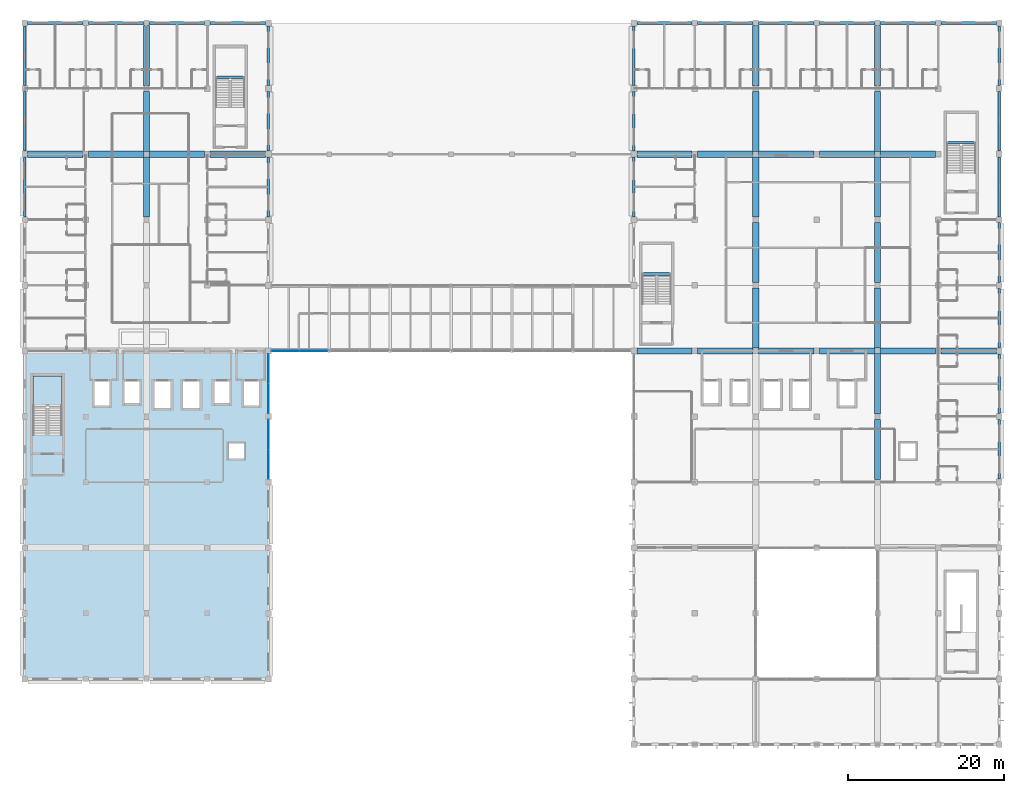
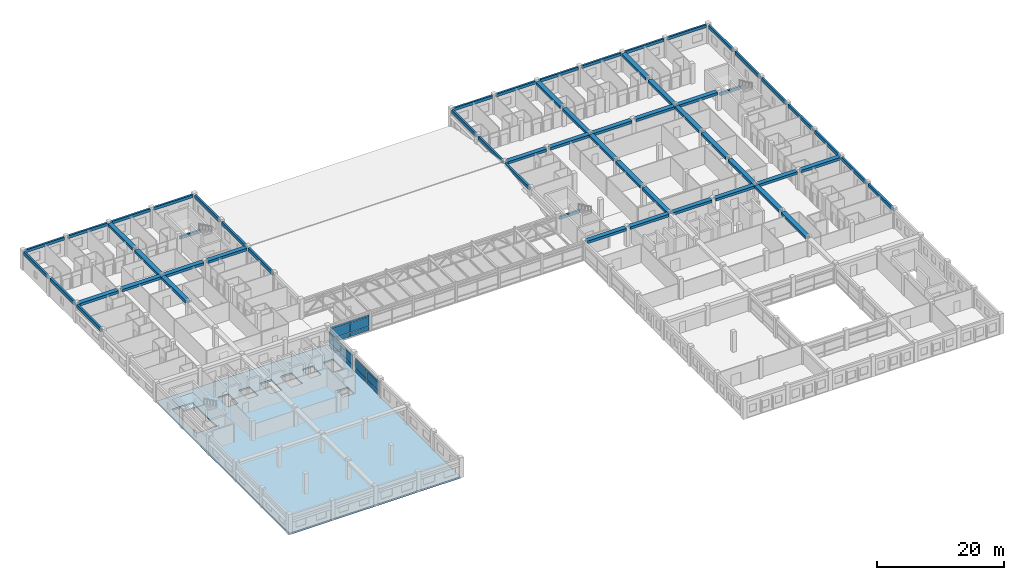
# One storey, part 40 of 72: 59 beams, 18 plates, 2 slabs, 4 elements without a shape of their own.
"""IFC4 building model written with IfcOpenShell, lengths in metres."""

from ifc_helpers import new_model, si_unit, direction, frame, origin, origin_2d, place, context, subcontext, project, spatial, polyline, rectangle, outline, extrude, material, layer, layer_set, material_profile, profile_set, type_object, element, aggregate, save


model = new_model("IFC4")

# Units and contexts
model_context = context("Model", 3, precision=1e-05, world=origin(), true_north=direction((0.0, 1.0)))
body_context = subcontext(model_context, "Body", "Model", "MODEL_VIEW")
ifc_project = project(units=[si_unit("LENGTHUNIT", "METRE"), si_unit("AREAUNIT", "SQUARE_METRE"), si_unit("VOLUMEUNIT", "CUBIC_METRE"), si_unit("PLANEANGLEUNIT", "RADIAN"), si_unit("MASSUNIT", "GRAM", prefix="KILO"), si_unit("THERMODYNAMICTEMPERATUREUNIT", "KELVIN"), si_unit("POWERUNIT", "WATT")], contexts=[model_context])

# Site, building, storey
site_placement = place(None, origin())
site = spatial("IfcSite", under=ifc_project, at=site_placement, CompositionType="ELEMENT")
building_placement = place(site_placement, origin())
building = spatial("IfcBuilding", under=site, at=building_placement, Name="Srebrne Nadtorze General Hospital", CompositionType="ELEMENT")
storey_placement = place(building_placement, frame((0.0, 0.0, 22.199951171875)))
storey = spatial("IfcBuildingStorey", under=building, at=storey_placement, Name="L05", CompositionType="ELEMENT", Elevation=22.199951171875)

# Beams
ifc_material_1 = material(Name="Concrete C35/45", Category="concrete")
ifc_material_profile_1 = material_profile(ifc_material_1, rectangle(XDim=0.35009765625, YDim=0.64990234375, at=origin_2d()), Name="RC-BM-350x650")
ifc_profile_set_1 = profile_set([ifc_material_profile_1], Name="Concrete C35/45")
beam_type_1 = type_object("IfcBeamType", Name="Edge beam RC 350x650", PredefinedType="BEAM", material=ifc_profile_set_1)
beam_1_placement = place(storey_placement, frame((23.39990234375, 67.574951171875, 3.275146484375), z_axis=(0.0, 1.0, 0.0), x_axis=(-1.0, 0.0, 0.0)))
element("IfcBeam", 1, at=beam_1_placement, inside=storey, type_object=beam_type_1, Name="Beam BM-L05-Y-1066", PredefinedType="BEAM", context=body_context, shape_type="SweptSolid", body=[
    extrude(rectangle(XDim=0.35009765625, YDim=0.64990234375, at=origin_2d()), origin(), (0.0, 0.0, 1.0), 7.650146484375),
])
for number, where, z_axis, x_axis, name in (
    (2, (23.39990234375, 75.97509765625, 3.275146484375), (0.0, 1.0, 0.0), (-1.0, 0.0, 0.0), "Beam BM-L05-Y-1067"),
    (3, (23.39990234375, 84.375, 3.275146484375), (0.0, 1.0, 0.0), (-1.0, 0.0, 0.0), "Beam BM-L05-Y-1068"),
):
    element("IfcBeam", number, at=place(storey_placement, frame(where, z_axis=z_axis, x_axis=x_axis)), inside=storey, type_object=beam_type_1, Name=name, PredefinedType="BEAM", context=body_context, shape_type="SweptSolid", body=[
        extrude(rectangle(XDim=0.35009765625, YDim=0.64990234375, at=origin_2d()), origin(), (0.0, 0.0, 1.0), 7.64990234375),
    ])
beam_2_placement = place(storey_placement, frame((54.60009765625, 67.574951171875, 3.275146484375), z_axis=(0.0, 1.0, 0.0), x_axis=(-1.0, 0.0, 0.0)))
element("IfcBeam", 4, at=beam_2_placement, inside=storey, type_object=beam_type_1, Name="Beam BM-L05-Y-1085", PredefinedType="BEAM", context=body_context, shape_type="SweptSolid", body=[
    extrude(rectangle(XDim=0.35009765625, YDim=0.64990234375, at=origin_2d()), origin(), (0.0, 0.0, 1.0), 7.650146484375),
])
for number, where, z_axis, x_axis, name in (
    (5, (54.60009765625, 75.97509765625, 3.275146484375), (0.0, 1.0, 0.0), (-1.0, 0.0, 0.0), "Beam BM-L05-Y-1086"),
    (6, (54.60009765625, 84.375, 3.275146484375), (0.0, 1.0, 0.0), (-1.0, 0.0, 0.0), "Beam BM-L05-Y-1087"),
):
    element("IfcBeam", number, at=place(storey_placement, frame(where, z_axis=z_axis, x_axis=x_axis)), inside=storey, type_object=beam_type_1, Name=name, PredefinedType="BEAM", context=body_context, shape_type="SweptSolid", body=[
        extrude(rectangle(XDim=0.35009765625, YDim=0.64990234375, at=origin_2d()), origin(), (0.0, 0.0, 1.0), 7.64990234375),
    ])
beam_3_placement = place(storey_placement, frame((101.39990234375, 67.574951171875, 3.275146484375), z_axis=(0.0, 1.0, 0.0), x_axis=(-1.0, 0.0, 0.0)))
element("IfcBeam", 7, at=beam_3_placement, inside=storey, type_object=beam_type_1, Name="Beam BM-L05-Y-1100", PredefinedType="BEAM", context=body_context, shape_type="SweptSolid", body=[
    extrude(rectangle(XDim=0.35009765625, YDim=0.64990234375, at=origin_2d()), origin(), (0.0, 0.0, 1.0), 7.650146484375),
])
for number, where, z_axis, x_axis, name in (
    (8, (101.39990234375, 75.97509765625, 3.275146484375), (0.0, 1.0, 0.0), (-1.0, 0.0, 0.0), "Beam BM-L05-Y-1101"),
    (9, (101.39990234375, 84.375, 3.275146484375), (0.0, 1.0, 0.0), (-1.0, 0.0, 0.0), "Beam BM-L05-Y-1102"),
    (10, (148.199951171875, 33.97509765625, 3.275146484375), (0.0, 1.0, 0.0), (-1.0, 0.0, 0.0), "Beam BM-L05-Y-1129"),
    (11, (148.199951171875, 42.375, 3.275146484375), (0.0, 1.0, 0.0), (-1.0, 0.0, 0.0), "Beam BM-L05-Y-1130"),
):
    element("IfcBeam", number, at=place(storey_placement, frame(where, z_axis=z_axis, x_axis=x_axis)), inside=storey, type_object=beam_type_1, Name=name, PredefinedType="BEAM", context=body_context, shape_type="SweptSolid", body=[
        extrude(rectangle(XDim=0.35009765625, YDim=0.64990234375, at=origin_2d()), origin(), (0.0, 0.0, 1.0), 7.64990234375),
    ])
beam_4_placement = place(storey_placement, frame((148.199951171875, 50.77490234375, 3.275146484375), z_axis=(0.0, 1.0, 0.0), x_axis=(-1.0, 0.0, 0.0)))
element("IfcBeam", 12, at=beam_4_placement, inside=storey, type_object=beam_type_1, Name="Beam BM-L05-Y-1131", PredefinedType="BEAM", context=body_context, shape_type="SweptSolid", body=[
    extrude(rectangle(XDim=0.35009765625, YDim=0.64990234375, at=origin_2d()), origin(), (0.0, 0.0, 1.0), 7.650146484375),
])
beam_5_placement = place(storey_placement, frame((148.199951171875, 59.175048828125, 3.275146484375), z_axis=(0.0, 1.0, 0.0), x_axis=(-1.0, 0.0, 0.0)))
element("IfcBeam", 13, at=beam_5_placement, inside=storey, type_object=beam_type_1, Name="Beam BM-L05-Y-1132", PredefinedType="BEAM", context=body_context, shape_type="SweptSolid", body=[
    extrude(rectangle(XDim=0.35009765625, YDim=0.64990234375, at=origin_2d()), origin(), (0.0, 0.0, 1.0), 7.64990234375),
])
beam_6_placement = place(storey_placement, frame((148.199951171875, 67.574951171875, 3.275146484375), z_axis=(0.0, 1.0, 0.0), x_axis=(-1.0, 0.0, 0.0)))
element("IfcBeam", 14, at=beam_6_placement, inside=storey, type_object=beam_type_1, Name="Beam BM-L05-Y-1133", PredefinedType="BEAM", context=body_context, shape_type="SweptSolid", body=[
    extrude(rectangle(XDim=0.35009765625, YDim=0.64990234375, at=origin_2d()), origin(), (0.0, 0.0, 1.0), 7.650146484375),
])
for number, where, z_axis, x_axis, name in (
    (15, (148.199951171875, 75.97509765625, 3.275146484375), (0.0, 1.0, 0.0), (-1.0, 0.0, 0.0), "Beam BM-L05-Y-1134"),
    (16, (148.199951171875, 84.375, 3.275146484375), (0.0, 1.0, 0.0), (-1.0, 0.0, 0.0), "Beam BM-L05-Y-1135"),
):
    element("IfcBeam", number, at=place(storey_placement, frame(where, z_axis=z_axis, x_axis=x_axis)), inside=storey, type_object=beam_type_1, Name=name, PredefinedType="BEAM", context=body_context, shape_type="SweptSolid", body=[
        extrude(rectangle(XDim=0.35009765625, YDim=0.64990234375, at=origin_2d()), origin(), (0.0, 0.0, 1.0), 7.64990234375),
    ])
ifc_material_2 = material(Name="Concrete C40/50", Category="concrete")
ifc_material_profile_2 = material_profile(ifc_material_2, rectangle(XDim=0.800048828125, YDim=0.5, at=origin_2d()), Name="RC-BM-800x500")
ifc_profile_set_2 = profile_set([ifc_material_profile_2], Name="Concrete C40/50")
beam_type_2 = type_object("IfcBeamType", Name="Primary beam RC 800x500", PredefinedType="BEAM", material=ifc_profile_set_2)
beam_7_placement = place(storey_placement, frame((101.77490234375, 50.39990234375, 3.35009765625), z_axis=(1.0, 0.0, 0.0), x_axis=(0.0, 1.0, 0.0)))
element("IfcBeam", 17, at=beam_7_placement, inside=storey, type_object=beam_type_2, Name="Beam BM-L05-X-1028", PredefinedType="BEAM", context=body_context, shape_type="SweptSolid", body=[
    extrude(rectangle(XDim=0.800048828125, YDim=0.5, at=origin_2d()), origin(), (0.0, 0.0, 1.0), 7.0751953125),
])
for number, where, z_axis, x_axis, name in (
    (18, (109.550048828125, 50.39990234375, 3.35009765625), (1.0, 0.0, 0.0), (0.0, 1.0, 0.0), "Beam BM-L05-X-1029"),
    (19, (117.35009765625, 50.39990234375, 3.35009765625), (1.0, 0.0, 0.0), (0.0, 1.0, 0.0), "Beam BM-L05-X-1030"),
):
    element("IfcBeam", number, at=place(storey_placement, frame(where, z_axis=z_axis, x_axis=x_axis)), inside=storey, type_object=beam_type_2, Name=name, PredefinedType="BEAM", context=body_context, shape_type="SweptSolid", body=[
        extrude(rectangle(XDim=0.800048828125, YDim=0.5, at=origin_2d()), origin(), (0.0, 0.0, 1.0), 7.099853515625),
    ])
for number, where, z_axis, x_axis, name in (
    (20, (125.14990234375, 50.39990234375, 3.35009765625), (1.0, 0.0, 0.0), (0.0, 1.0, 0.0), "Beam BM-L05-X-1031"),
    (21, (132.949951171875, 50.39990234375, 3.35009765625), (1.0, 0.0, 0.0), (0.0, 1.0, 0.0), "Beam BM-L05-X-1032"),
):
    element("IfcBeam", number, at=place(storey_placement, frame(where, z_axis=z_axis, x_axis=x_axis)), inside=storey, type_object=beam_type_2, Name=name, PredefinedType="BEAM", context=body_context, shape_type="SweptSolid", body=[
        extrude(rectangle(XDim=0.800048828125, YDim=0.5, at=origin_2d()), origin(), (0.0, 0.0, 1.0), 7.10009765625),
    ])
beam_8_placement = place(storey_placement, frame((140.75, 50.39990234375, 3.35009765625), z_axis=(1.0, 0.0, 0.0), x_axis=(0.0, 1.0, 0.0)))
element("IfcBeam", 22, at=beam_8_placement, inside=storey, type_object=beam_type_2, Name="Beam BM-L05-X-1033", PredefinedType="BEAM", context=body_context, shape_type="SweptSolid", body=[
    extrude(rectangle(XDim=0.800048828125, YDim=0.5, at=origin_2d()), origin(), (0.0, 0.0, 1.0), 7.074951171875),
])
beam_9_placement = place(storey_placement, frame((23.77490234375, 75.60009765625, 3.35009765625), z_axis=(1.0, 0.0, 0.0), x_axis=(0.0, 1.0, 0.0)))
element("IfcBeam", 23, at=beam_9_placement, inside=storey, type_object=beam_type_2, Name="Beam BM-L05-X-1040", PredefinedType="BEAM", context=body_context, shape_type="SweptSolid", body=[
    extrude(rectangle(XDim=0.800048828125, YDim=0.5, at=origin_2d()), origin(), (0.0, 0.0, 1.0), 7.0751953125),
])
for number, where, z_axis, x_axis, name in (
    (24, (31.550048828125, 75.60009765625, 3.35009765625), (1.0, 0.0, 0.0), (0.0, 1.0, 0.0), "Beam BM-L05-X-1041"),
    (25, (39.35009765625, 75.60009765625, 3.35009765625), (1.0, 0.0, 0.0), (0.0, 1.0, 0.0), "Beam BM-L05-X-1042"),
):
    element("IfcBeam", number, at=place(storey_placement, frame(where, z_axis=z_axis, x_axis=x_axis)), inside=storey, type_object=beam_type_2, Name=name, PredefinedType="BEAM", context=body_context, shape_type="SweptSolid", body=[
        extrude(rectangle(XDim=0.800048828125, YDim=0.5, at=origin_2d()), origin(), (0.0, 0.0, 1.0), 7.099853515625),
    ])
for number, where, z_axis, x_axis, name in (
    (26, (47.14990234375, 75.60009765625, 3.35009765625), (1.0, 0.0, 0.0), (0.0, 1.0, 0.0), "Beam BM-L05-X-1043"),
    (27, (101.77490234375, 75.60009765625, 3.35009765625), (1.0, 0.0, 0.0), (0.0, 1.0, 0.0), "Beam BM-L05-X-1044"),
):
    element("IfcBeam", number, at=place(storey_placement, frame(where, z_axis=z_axis, x_axis=x_axis)), inside=storey, type_object=beam_type_2, Name=name, PredefinedType="BEAM", context=body_context, shape_type="SweptSolid", body=[
        extrude(rectangle(XDim=0.800048828125, YDim=0.5, at=origin_2d()), origin(), (0.0, 0.0, 1.0), 7.0751953125),
    ])
for number, where, z_axis, x_axis, name in (
    (28, (109.550048828125, 75.60009765625, 3.35009765625), (1.0, 0.0, 0.0), (0.0, 1.0, 0.0), "Beam BM-L05-X-1045"),
    (29, (117.35009765625, 75.60009765625, 3.35009765625), (1.0, 0.0, 0.0), (0.0, 1.0, 0.0), "Beam BM-L05-X-1046"),
):
    element("IfcBeam", number, at=place(storey_placement, frame(where, z_axis=z_axis, x_axis=x_axis)), inside=storey, type_object=beam_type_2, Name=name, PredefinedType="BEAM", context=body_context, shape_type="SweptSolid", body=[
        extrude(rectangle(XDim=0.800048828125, YDim=0.5, at=origin_2d()), origin(), (0.0, 0.0, 1.0), 7.099853515625),
    ])
for number, where, z_axis, x_axis, name in (
    (30, (125.14990234375, 75.60009765625, 3.35009765625), (1.0, 0.0, 0.0), (0.0, 1.0, 0.0), "Beam BM-L05-X-1047"),
    (31, (132.949951171875, 75.60009765625, 3.35009765625), (1.0, 0.0, 0.0), (0.0, 1.0, 0.0), "Beam BM-L05-X-1048"),
):
    element("IfcBeam", number, at=place(storey_placement, frame(where, z_axis=z_axis, x_axis=x_axis)), inside=storey, type_object=beam_type_2, Name=name, PredefinedType="BEAM", context=body_context, shape_type="SweptSolid", body=[
        extrude(rectangle(XDim=0.800048828125, YDim=0.5, at=origin_2d()), origin(), (0.0, 0.0, 1.0), 7.10009765625),
    ])
for number, where, z_axis, x_axis, name in (
    (32, (39.0, 67.550048828125, 3.35009765625), (0.0, 1.0, 0.0), (-1.0, 0.0, 0.0), "Beam BM-L05-Y-1076"),
    (33, (39.0, 75.949951171875, 3.35009765625), (0.0, 1.0, 0.0), (-1.0, 0.0, 0.0), "Beam BM-L05-Y-1077"),
    (34, (39.0, 84.35009765625, 3.35009765625), (0.0, 1.0, 0.0), (-1.0, 0.0, 0.0), "Beam BM-L05-Y-1078"),
    (35, (117.0, 50.75, 3.35009765625), (0.0, 1.0, 0.0), (-1.0, 0.0, 0.0), "Beam BM-L05-Y-1109"),
):
    element("IfcBeam", number, at=place(storey_placement, frame(where, z_axis=z_axis, x_axis=x_axis)), inside=storey, type_object=beam_type_2, Name=name, PredefinedType="BEAM", context=body_context, shape_type="SweptSolid", body=[
        extrude(rectangle(XDim=0.800048828125, YDim=0.5, at=origin_2d()), origin(), (0.0, 0.0, 1.0), 7.699951171875),
    ])
beam_10_placement = place(storey_placement, frame((117.0, 59.14990234375, 3.35009765625), z_axis=(0.0, 1.0, 0.0), x_axis=(-1.0, 0.0, 0.0)))
element("IfcBeam", 36, at=beam_10_placement, inside=storey, type_object=beam_type_2, Name="Beam BM-L05-Y-1110", PredefinedType="BEAM", context=body_context, shape_type="SweptSolid", body=[
    extrude(rectangle(XDim=0.800048828125, YDim=0.5, at=origin_2d()), origin(), (0.0, 0.0, 1.0), 7.7001953125),
])
for number, where, z_axis, x_axis, name in (
    (37, (117.0, 67.550048828125, 3.35009765625), (0.0, 1.0, 0.0), (-1.0, 0.0, 0.0), "Beam BM-L05-Y-1111"),
    (38, (117.0, 75.949951171875, 3.35009765625), (0.0, 1.0, 0.0), (-1.0, 0.0, 0.0), "Beam BM-L05-Y-1112"),
    (39, (117.0, 84.35009765625, 3.35009765625), (0.0, 1.0, 0.0), (-1.0, 0.0, 0.0), "Beam BM-L05-Y-1113"),
    (40, (132.60009765625, 33.949951171875, 3.35009765625), (0.0, 1.0, 0.0), (-1.0, 0.0, 0.0), "Beam BM-L05-Y-1118"),
    (41, (132.60009765625, 42.35009765625, 3.35009765625), (0.0, 1.0, 0.0), (-1.0, 0.0, 0.0), "Beam BM-L05-Y-1119"),
    (42, (132.60009765625, 50.75, 3.35009765625), (0.0, 1.0, 0.0), (-1.0, 0.0, 0.0), "Beam BM-L05-Y-1120"),
):
    element("IfcBeam", number, at=place(storey_placement, frame(where, z_axis=z_axis, x_axis=x_axis)), inside=storey, type_object=beam_type_2, Name=name, PredefinedType="BEAM", context=body_context, shape_type="SweptSolid", body=[
        extrude(rectangle(XDim=0.800048828125, YDim=0.5, at=origin_2d()), origin(), (0.0, 0.0, 1.0), 7.699951171875),
    ])
beam_11_placement = place(storey_placement, frame((132.60009765625, 59.14990234375, 3.35009765625), z_axis=(0.0, 1.0, 0.0), x_axis=(-1.0, 0.0, 0.0)))
element("IfcBeam", 43, at=beam_11_placement, inside=storey, type_object=beam_type_2, Name="Beam BM-L05-Y-1121", PredefinedType="BEAM", context=body_context, shape_type="SweptSolid", body=[
    extrude(rectangle(XDim=0.800048828125, YDim=0.5, at=origin_2d()), origin(), (0.0, 0.0, 1.0), 7.7001953125),
])
for number, where, z_axis, x_axis, name in (
    (44, (132.60009765625, 67.550048828125, 3.35009765625), (0.0, 1.0, 0.0), (-1.0, 0.0, 0.0), "Beam BM-L05-Y-1122"),
    (45, (132.60009765625, 75.949951171875, 3.35009765625), (0.0, 1.0, 0.0), (-1.0, 0.0, 0.0), "Beam BM-L05-Y-1123"),
    (46, (132.60009765625, 84.35009765625, 3.35009765625), (0.0, 1.0, 0.0), (-1.0, 0.0, 0.0), "Beam BM-L05-Y-1124"),
):
    element("IfcBeam", number, at=place(storey_placement, frame(where, z_axis=z_axis, x_axis=x_axis)), inside=storey, type_object=beam_type_2, Name=name, PredefinedType="BEAM", context=body_context, shape_type="SweptSolid", body=[
        extrude(rectangle(XDim=0.800048828125, YDim=0.5, at=origin_2d()), origin(), (0.0, 0.0, 1.0), 7.699951171875),
    ])
ifc_material_3 = material(Name="Concrete C35/45", Category="concrete")
ifc_material_profile_3 = material_profile(ifc_material_3, rectangle(XDim=0.35009765625, YDim=0.550048828125, at=origin_2d()), Name="RC-BM-350x550")
ifc_profile_set_3 = profile_set([ifc_material_profile_3], Name="Concrete C35/45")
beam_type_3 = type_object("IfcBeamType", Name="Spandrel lintel beam RC 350x550", PredefinedType="LINTEL", material=ifc_profile_set_3)
beam_12_placement = place(storey_placement, frame((23.77490234375, 92.39990234375, 3.324951171875), z_axis=(1.0, 0.0, 0.0), x_axis=(0.0, 1.0, 0.0)))
element("IfcBeam", 47, at=beam_12_placement, inside=storey, type_object=beam_type_3, Name="Beam BM-L05-X-1049", PredefinedType="LINTEL", context=body_context, shape_type="SweptSolid", body=[
    extrude(rectangle(XDim=0.35009765625, YDim=0.550048828125, at=origin_2d()), origin(), (0.0, 0.0, 1.0), 7.0751953125),
])
for number, where, z_axis, x_axis, name in (
    (48, (31.550048828125, 92.39990234375, 3.324951171875), (1.0, 0.0, 0.0), (0.0, 1.0, 0.0), "Beam BM-L05-X-1050"),
    (49, (39.35009765625, 92.39990234375, 3.324951171875), (1.0, 0.0, 0.0), (0.0, 1.0, 0.0), "Beam BM-L05-X-1051"),
):
    element("IfcBeam", number, at=place(storey_placement, frame(where, z_axis=z_axis, x_axis=x_axis)), inside=storey, type_object=beam_type_3, Name=name, PredefinedType="LINTEL", context=body_context, shape_type="SweptSolid", body=[
        extrude(rectangle(XDim=0.35009765625, YDim=0.550048828125, at=origin_2d()), origin(), (0.0, 0.0, 1.0), 7.099853515625),
    ])
for number, where, z_axis, x_axis, name in (
    (50, (47.14990234375, 92.39990234375, 3.324951171875), (1.0, 0.0, 0.0), (0.0, 1.0, 0.0), "Beam BM-L05-X-1052"),
    (51, (101.77490234375, 92.39990234375, 3.324951171875), (1.0, 0.0, 0.0), (0.0, 1.0, 0.0), "Beam BM-L05-X-1053"),
):
    element("IfcBeam", number, at=place(storey_placement, frame(where, z_axis=z_axis, x_axis=x_axis)), inside=storey, type_object=beam_type_3, Name=name, PredefinedType="LINTEL", context=body_context, shape_type="SweptSolid", body=[
        extrude(rectangle(XDim=0.35009765625, YDim=0.550048828125, at=origin_2d()), origin(), (0.0, 0.0, 1.0), 7.0751953125),
    ])
for number, where, z_axis, x_axis, name in (
    (52, (109.550048828125, 92.39990234375, 3.324951171875), (1.0, 0.0, 0.0), (0.0, 1.0, 0.0), "Beam BM-L05-X-1054"),
    (53, (117.35009765625, 92.39990234375, 3.324951171875), (1.0, 0.0, 0.0), (0.0, 1.0, 0.0), "Beam BM-L05-X-1055"),
):
    element("IfcBeam", number, at=place(storey_placement, frame(where, z_axis=z_axis, x_axis=x_axis)), inside=storey, type_object=beam_type_3, Name=name, PredefinedType="LINTEL", context=body_context, shape_type="SweptSolid", body=[
        extrude(rectangle(XDim=0.35009765625, YDim=0.550048828125, at=origin_2d()), origin(), (0.0, 0.0, 1.0), 7.099853515625),
    ])
for number, where, z_axis, x_axis, name in (
    (54, (125.14990234375, 92.39990234375, 3.324951171875), (1.0, 0.0, 0.0), (0.0, 1.0, 0.0), "Beam BM-L05-X-1056"),
    (55, (132.949951171875, 92.39990234375, 3.324951171875), (1.0, 0.0, 0.0), (0.0, 1.0, 0.0), "Beam BM-L05-X-1057"),
):
    element("IfcBeam", number, at=place(storey_placement, frame(where, z_axis=z_axis, x_axis=x_axis)), inside=storey, type_object=beam_type_3, Name=name, PredefinedType="LINTEL", context=body_context, shape_type="SweptSolid", body=[
        extrude(rectangle(XDim=0.35009765625, YDim=0.550048828125, at=origin_2d()), origin(), (0.0, 0.0, 1.0), 7.10009765625),
    ])
beam_13_placement = place(storey_placement, frame((140.75, 92.39990234375, 3.324951171875), z_axis=(1.0, 0.0, 0.0), x_axis=(0.0, 1.0, 0.0)))
element("IfcBeam", 56, at=beam_13_placement, inside=storey, type_object=beam_type_3, Name="Beam BM-L05-X-1058", PredefinedType="LINTEL", context=body_context, shape_type="SweptSolid", body=[
    extrude(rectangle(XDim=0.35009765625, YDim=0.550048828125, at=origin_2d()), origin(), (0.0, 0.0, 1.0), 7.074951171875),
])
for number, where, z_axis, x_axis, name in (
    (57, (47.85009765625, 85.43994140625, 1.675048828125), (1.0, 0.0, 0.0), (0.0, 1.0, 0.0), "Stair landing header beam ST-02 L05"),
    (58, (102.449951171875, 60.239990234375, 1.675048828125), (1.0, 0.0, 0.0), (0.0, 1.0, 0.0), "Stair landing header beam ST-03 L05"),
    (59, (141.449951171875, 77.0400390625, 1.675048828125), (1.0, 0.0, 0.0), (0.0, 1.0, 0.0), "Stair landing header beam ST-04 L05"),
):
    element("IfcBeam", number, at=place(storey_placement, frame(where, z_axis=z_axis, x_axis=x_axis)), inside=storey, type_object=beam_type_3, Name=name, PredefinedType="LINTEL", context=body_context, shape_type="SweptSolid", body=[
        extrude(rectangle(XDim=0.35009765625, YDim=0.550048828125, at=origin_2d()), origin(), (0.0, 0.0, 1.0), 3.75),
    ])

# Curtain wall, plates
ifc_material_4 = material(Name="Anodised Aluminium", Category="aluminium")
curtain_wall_type_1 = type_object("IfcCurtainWallType", Name="Bridge curtain wall 7275x3150", PredefinedType="NOTDEFINED", material=ifc_material_4)
curtain_wall_1_placement = place(storey_placement, origin())
curtain_wall_1 = element("IfcCurtainWall", 60, at=curtain_wall_1_placement, inside=storey, type_object=curtain_wall_type_1, Name="Curtain wall CW-118", PredefinedType="NOTDEFINED")
ifc_material_5 = material(Name="Triple Low-E Glazing", Category="glass")
ifc_layer_1 = layer(ifc_material_5, 0.050048828125)
ifc_layer_set_1 = layer_set([ifc_layer_1], Name="Triple Low-E Glazing")
plate_type = type_object("IfcPlateType", Name="Glazed curtain panel 50", PredefinedType="CURTAIN_PANEL", material=ifc_layer_set_1)
plate_1_placement = place(storey_placement, frame((56.808837890625, 50.39990234375, 0.06005859375), z_axis=(0.0, 0.0, 1.0), x_axis=(1.0, 0.0, 0.0)))
plate_1 = element("IfcPlate", 61, at=plate_1_placement, type_object=plate_type, Name="CW-118 panel 1.1", PredefinedType="CURTAIN_PANEL", context=body_context, shape_type="SweptSolid", body=[
    extrude(rectangle(XDim=3.547607421875, YDim=0.050048828125, at=origin_2d()), origin(), (0.0, 0.0, 1.0), 0.760009765625),
])
plate_2_placement = place(storey_placement, frame((56.808837890625, 50.39990234375, 0.8798828125), z_axis=(0.0, 0.0, 1.0), x_axis=(1.0, 0.0, 0.0)))
plate_2 = element("IfcPlate", 62, at=plate_2_placement, type_object=plate_type, Name="CW-118 panel 1.2", PredefinedType="CURTAIN_PANEL", context=body_context, shape_type="SweptSolid", body=[
    extrude(rectangle(XDim=3.547607421875, YDim=0.050048828125, at=origin_2d()), origin(), (0.0, 0.0, 1.0), 1.739990234375),
])
plate_3_placement = place(storey_placement, frame((56.808837890625, 50.39990234375, 2.68017578125), z_axis=(0.0, 0.0, 1.0), x_axis=(1.0, 0.0, 0.0)))
plate_3 = element("IfcPlate", 63, at=plate_3_placement, type_object=plate_type, Name="CW-118 panel 1.3", PredefinedType="CURTAIN_PANEL", context=body_context, shape_type="SweptSolid", body=[
    extrude(rectangle(XDim=3.547607421875, YDim=0.050048828125, at=origin_2d()), origin(), (0.0, 0.0, 1.0), 0.409912109375),
])
plate_4_placement = place(storey_placement, frame((60.416259765625, 50.39990234375, 0.06005859375), z_axis=(0.0, 0.0, 1.0), x_axis=(1.0, 0.0, 0.0)))
plate_4 = element("IfcPlate", 64, at=plate_4_placement, type_object=plate_type, Name="CW-118 panel 2.1", PredefinedType="CURTAIN_PANEL", context=body_context, shape_type="SweptSolid", body=[
    extrude(rectangle(XDim=3.547607421875, YDim=0.050048828125, at=origin_2d()), origin(), (0.0, 0.0, 1.0), 0.760009765625),
])
plate_5_placement = place(storey_placement, frame((60.416259765625, 50.39990234375, 0.8798828125), z_axis=(0.0, 0.0, 1.0), x_axis=(1.0, 0.0, 0.0)))
plate_5 = element("IfcPlate", 65, at=plate_5_placement, type_object=plate_type, Name="CW-118 panel 2.2", PredefinedType="CURTAIN_PANEL", context=body_context, shape_type="SweptSolid", body=[
    extrude(rectangle(XDim=3.547607421875, YDim=0.050048828125, at=origin_2d()), origin(), (0.0, 0.0, 1.0), 1.739990234375),
])
plate_6_placement = place(storey_placement, frame((60.416259765625, 50.39990234375, 2.68017578125), z_axis=(0.0, 0.0, 1.0), x_axis=(1.0, 0.0, 0.0)))
plate_6 = element("IfcPlate", 66, at=plate_6_placement, type_object=plate_type, Name="CW-118 panel 2.3", PredefinedType="CURTAIN_PANEL", context=body_context, shape_type="SweptSolid", body=[
    extrude(rectangle(XDim=3.547607421875, YDim=0.050048828125, at=origin_2d()), origin(), (0.0, 0.0, 1.0), 0.409912109375),
])
aggregate(curtain_wall_1, [plate_1, plate_2, plate_3, plate_4, plate_5, plate_6])

ifc_material_6 = material(Name="Anodised Aluminium", Category="aluminium")
curtain_wall_type_2 = type_object("IfcCurtainWallType", Name="Unitised curtain wall 7650x2950", PredefinedType="NOTDEFINED", material=ifc_material_6)
curtain_wall_2_placement = place(storey_placement, origin())
curtain_wall_2 = element("IfcCurtainWall", 67, at=curtain_wall_2_placement, inside=storey, type_object=curtain_wall_type_2, Name="Curtain wall CW-130", PredefinedType="NOTDEFINED")
plate_7_placement = place(storey_placement, frame((54.60009765625, 35.902587890625, 0.06005859375), z_axis=(0.0, 0.0, 1.0), x_axis=(0.0, 1.0, 0.0)))
plate_7 = element("IfcPlate", 68, at=plate_7_placement, type_object=plate_type, Name="CW-130 panel 1.1", PredefinedType="CURTAIN_PANEL", context=body_context, shape_type="SweptSolid", body=[
    extrude(rectangle(XDim=3.735107421875, YDim=0.050048828125, at=origin_2d()), origin(), (0.0, 0.0, 1.0), 0.760009765625),
])
plate_8_placement = place(storey_placement, frame((54.60009765625, 35.902587890625, 0.880126953125), z_axis=(0.0, 0.0, 1.0), x_axis=(0.0, 1.0, 0.0)))
plate_8 = element("IfcPlate", 69, at=plate_8_placement, type_object=plate_type, Name="CW-130 panel 1.2", PredefinedType="CURTAIN_PANEL", context=body_context, shape_type="SweptSolid", body=[
    extrude(rectangle(XDim=3.735107421875, YDim=0.050048828125, at=origin_2d()), origin(), (0.0, 0.0, 1.0), 1.5400390625),
])
plate_9_placement = place(storey_placement, frame((54.60009765625, 35.902587890625, 2.47998046875), z_axis=(0.0, 0.0, 1.0), x_axis=(0.0, 1.0, 0.0)))
plate_9 = element("IfcPlate", 70, at=plate_9_placement, type_object=plate_type, Name="CW-130 panel 1.3", PredefinedType="CURTAIN_PANEL", context=body_context, shape_type="SweptSolid", body=[
    extrude(rectangle(XDim=3.735107421875, YDim=0.050048828125, at=origin_2d()), origin(), (0.0, 0.0, 1.0), 0.409912109375),
])
plate_10_placement = place(storey_placement, frame((54.60009765625, 39.697509765625, 0.06005859375), z_axis=(0.0, 0.0, 1.0), x_axis=(0.0, 1.0, 0.0)))
plate_10 = element("IfcPlate", 71, at=plate_10_placement, type_object=plate_type, Name="CW-130 panel 2.1", PredefinedType="CURTAIN_PANEL", context=body_context, shape_type="SweptSolid", body=[
    extrude(rectangle(XDim=3.735107421875, YDim=0.050048828125, at=origin_2d()), origin(), (0.0, 0.0, 1.0), 0.760009765625),
])
plate_11_placement = place(storey_placement, frame((54.60009765625, 39.697509765625, 0.880126953125), z_axis=(0.0, 0.0, 1.0), x_axis=(0.0, 1.0, 0.0)))
plate_11 = element("IfcPlate", 72, at=plate_11_placement, type_object=plate_type, Name="CW-130 panel 2.2", PredefinedType="CURTAIN_PANEL", context=body_context, shape_type="SweptSolid", body=[
    extrude(rectangle(XDim=3.735107421875, YDim=0.050048828125, at=origin_2d()), origin(), (0.0, 0.0, 1.0), 1.5400390625),
])
plate_12_placement = place(storey_placement, frame((54.60009765625, 39.697509765625, 2.47998046875), z_axis=(0.0, 0.0, 1.0), x_axis=(0.0, 1.0, 0.0)))
plate_12 = element("IfcPlate", 73, at=plate_12_placement, type_object=plate_type, Name="CW-130 panel 2.3", PredefinedType="CURTAIN_PANEL", context=body_context, shape_type="SweptSolid", body=[
    extrude(rectangle(XDim=3.735107421875, YDim=0.050048828125, at=origin_2d()), origin(), (0.0, 0.0, 1.0), 0.409912109375),
])
aggregate(curtain_wall_2, [plate_7, plate_8, plate_9, plate_10, plate_11, plate_12])

curtain_wall_3_placement = place(storey_placement, origin())
curtain_wall_3 = element("IfcCurtainWall", 74, at=curtain_wall_3_placement, inside=storey, type_object=curtain_wall_type_2, Name="Curtain wall CW-131", PredefinedType="NOTDEFINED")
plate_13_placement = place(storey_placement, frame((54.60009765625, 44.3037109375, 0.065185546875), z_axis=(0.0, 0.0, 1.0), x_axis=(0.0, 1.0, 0.0)))
plate_13 = element("IfcPlate", 75, at=plate_13_placement, type_object=plate_type, Name="CW-131 panel 1.1", PredefinedType="CURTAIN_PANEL", context=body_context, shape_type="SweptSolid", body=[
    extrude(rectangle(XDim=3.7275390625, YDim=0.050048828125, at=origin_2d()), origin(), (0.0, 0.0, 1.0), 0.75244140625),
])
plate_14_placement = place(storey_placement, frame((54.60009765625, 44.3037109375, 0.8828125), z_axis=(0.0, 0.0, 1.0), x_axis=(0.0, 1.0, 0.0)))
plate_14 = element("IfcPlate", 76, at=plate_14_placement, type_object=plate_type, Name="CW-131 panel 1.2", PredefinedType="CURTAIN_PANEL", context=body_context, shape_type="SweptSolid", body=[
    extrude(rectangle(XDim=3.7275390625, YDim=0.050048828125, at=origin_2d()), origin(), (0.0, 0.0, 1.0), 1.534912109375),
])
plate_15_placement = place(storey_placement, frame((54.60009765625, 44.3037109375, 2.482421875), z_axis=(0.0, 0.0, 1.0), x_axis=(0.0, 1.0, 0.0)))
plate_15 = element("IfcPlate", 77, at=plate_15_placement, type_object=plate_type, Name="CW-131 panel 1.3", PredefinedType="CURTAIN_PANEL", context=body_context, shape_type="SweptSolid", body=[
    extrude(rectangle(XDim=3.7275390625, YDim=0.050048828125, at=origin_2d()), origin(), (0.0, 0.0, 1.0), 0.402587890625),
])
plate_16_placement = place(storey_placement, frame((54.60009765625, 48.09619140625, 0.065185546875), z_axis=(0.0, 0.0, 1.0), x_axis=(0.0, 1.0, 0.0)))
plate_16 = element("IfcPlate", 78, at=plate_16_placement, type_object=plate_type, Name="CW-131 panel 2.1", PredefinedType="CURTAIN_PANEL", context=body_context, shape_type="SweptSolid", body=[
    extrude(rectangle(XDim=3.7275390625, YDim=0.050048828125, at=origin_2d()), origin(), (0.0, 0.0, 1.0), 0.75244140625),
])
plate_17_placement = place(storey_placement, frame((54.60009765625, 48.09619140625, 0.8828125), z_axis=(0.0, 0.0, 1.0), x_axis=(0.0, 1.0, 0.0)))
plate_17 = element("IfcPlate", 79, at=plate_17_placement, type_object=plate_type, Name="CW-131 panel 2.2", PredefinedType="CURTAIN_PANEL", context=body_context, shape_type="SweptSolid", body=[
    extrude(rectangle(XDim=3.7275390625, YDim=0.050048828125, at=origin_2d()), origin(), (0.0, 0.0, 1.0), 1.534912109375),
])
plate_18_placement = place(storey_placement, frame((54.60009765625, 48.09619140625, 2.482421875), z_axis=(0.0, 0.0, 1.0), x_axis=(0.0, 1.0, 0.0)))
plate_18 = element("IfcPlate", 80, at=plate_18_placement, type_object=plate_type, Name="CW-131 panel 2.3", PredefinedType="CURTAIN_PANEL", context=body_context, shape_type="SweptSolid", body=[
    extrude(rectangle(XDim=3.7275390625, YDim=0.050048828125, at=origin_2d()), origin(), (0.0, 0.0, 1.0), 0.402587890625),
])
aggregate(curtain_wall_3, [plate_13, plate_14, plate_15, plate_16, plate_17, plate_18])

# Stair, slab
ifc_material_7 = material(Name="Concrete C35/45", Category="concrete")
stair_type = type_object("IfcStairType", Name="Dog-leg escape stair 390", PredefinedType="HALF_TURN_STAIR", material=ifc_material_7)
stair_placement = place(storey_placement, origin())
stair = element("IfcStair", 81, at=stair_placement, inside=storey, type_object=stair_type, Name="Escape stair ST-01-L05", PredefinedType="HALF_TURN_STAIR")
ifc_material_8 = material(Name="Concrete C35/45", Category="concrete")
ifc_layer_2 = layer(ifc_material_8, 0.219970703125)
ifc_layer_set_2 = layer_set([ifc_layer_2], Name="Concrete C35/45")
slab_type_1 = type_object("IfcSlabType", Name="Stair landing slab 220", PredefinedType="LANDING", material=ifc_layer_set_2)
slab_1_placement = place(storey_placement, frame((0.0, 0.0, 1.72998046875)))
slab_1 = element("IfcSlab", 82, at=slab_1_placement, type_object=slab_type_1, Name="ST-01 landing 1", PredefinedType="LANDING", context=body_context, shape_type="SweptSolid", body=[
    extrude(outline(polyline([(24.449951171875, 43.43994140625), (28.199951171875, 43.43994140625), (28.199951171875, 47.199951171875), (24.449951171875, 47.199951171875), (24.449951171875, 43.43994140625)])), origin(), (0.0, 0.0, 1.0), 0.219970703125),
])
aggregate(stair, [slab_1])

# Slab
ifc_material_9 = material(Name="Concrete C35/45", Category="concrete")
ifc_layer_3 = layer(ifc_material_9, 0.31494140625)
ifc_layer_set_3 = layer_set([ifc_layer_3], Name="Concrete C35/45")
slab_type_2 = type_object("IfcSlabType", Name="Suspended floor slab 315", PredefinedType="FLOOR", material=ifc_layer_set_3)
slab_2_placement = place(storey_placement, frame((0.0, 0.0, -0.31494140625)))
element("IfcSlab", 83, at=slab_2_placement, inside=storey, type_object=slab_type_2, Name="Suspended floor slab SL-L05-WS", PredefinedType="FLOOR", context=body_context, shape_type="SweptSolid", body=[
    extrude(outline(polyline([(54.60009765625, 8.39990234375), (54.60009765625, 50.39990234375), (23.39990234375, 50.39990234375), (23.39990234375, 8.39990234375), (54.60009765625, 8.39990234375)]), holes=[polyline([(51.5, 36.60009765625), (49.5, 36.60009765625), (49.5, 38.60009765625), (51.5, 38.60009765625), (51.5, 36.60009765625)]), polyline([(28.199951171875, 39.60498046875), (24.449951171875, 39.60498046875), (24.449951171875, 47.199951171875), (28.199951171875, 47.199951171875), (28.199951171875, 39.60498046875)]), polyline([(42.10009765625, 43.110107421875), (40.0, 43.110107421875), (40.0, 46.4599609375), (42.10009765625, 46.4599609375), (42.10009765625, 43.110107421875)]), polyline([(45.800048828125, 43.110107421875), (43.699951171875, 43.110107421875), (43.699951171875, 46.4599609375), (45.800048828125, 46.4599609375), (45.800048828125, 43.110107421875)]), polyline([(34.25, 43.409912109375), (32.35009765625, 43.409912109375), (32.35009765625, 46.4599609375), (34.25, 46.4599609375), (34.25, 43.409912109375)]), polyline([(53.39990234375, 43.409912109375), (51.5, 43.409912109375), (51.5, 46.4599609375), (53.39990234375, 46.4599609375), (53.39990234375, 43.409912109375)]), polyline([(38.10009765625, 43.7099609375), (36.199951171875, 43.7099609375), (36.199951171875, 46.4599609375), (38.10009765625, 46.4599609375), (38.10009765625, 43.7099609375)]), polyline([(47.699951171875, 43.7099609375), (47.699951171875, 46.4599609375), (49.60009765625, 46.4599609375), (49.60009765625, 43.7099609375), (47.699951171875, 43.7099609375)])]), origin(), (0.0, 0.0, 1.0), 0.31494140625),
])

save(model, "model.ifc")
